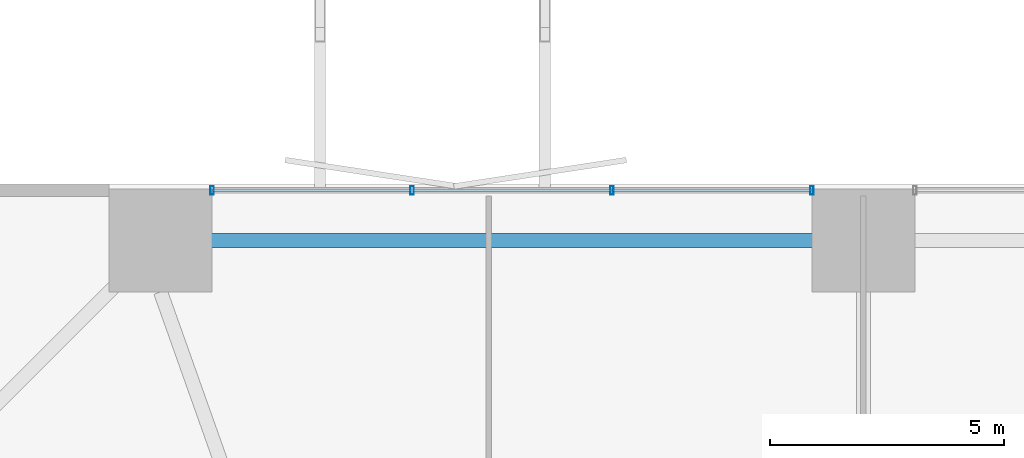
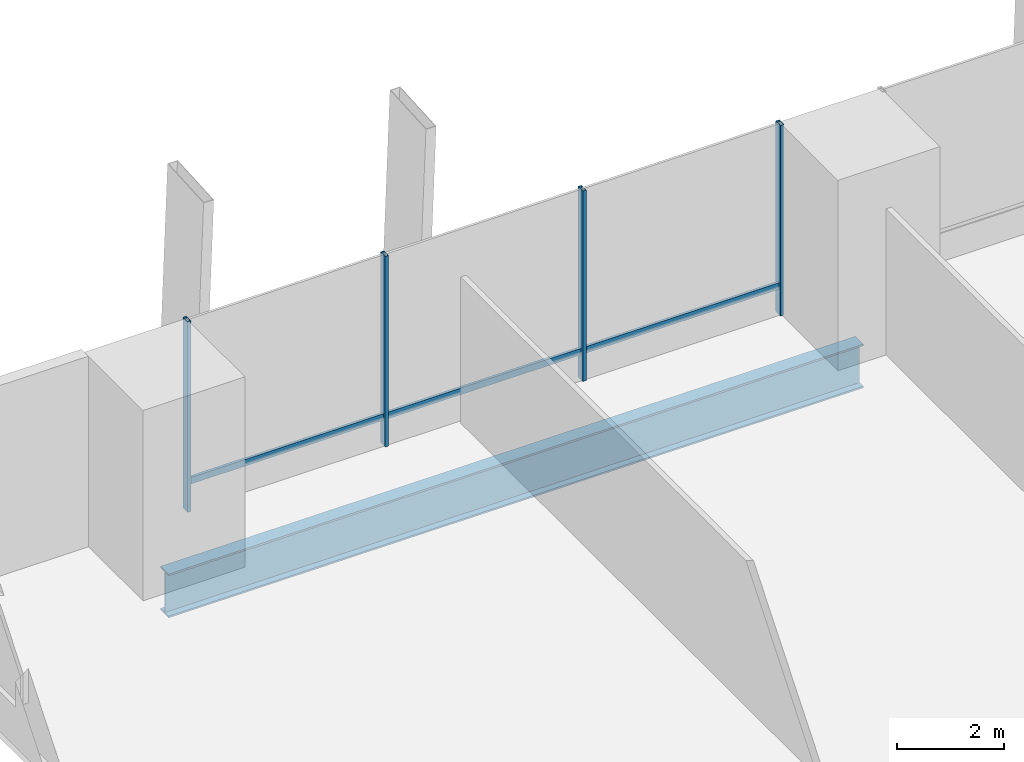
# One storey, part 13 of 24: 7 members, 1 beam, 1 element without a shape of its own.
"""IFC4 building model written with IfcOpenShell, lengths in metres."""

from ifc_helpers import new_model, si_unit, direction, frame, origin, origin_2d, place, context, subcontext, project, spatial, hollow_rectangle, i_section, extrude, material, layer, layer_set, material_profile, profile_set, type_object, element, aggregate, save


model = new_model("IFC4")

# Units and contexts
model_context = context("Model", 3, precision=1e-05, world=origin(), true_north=direction((0.0, 1.0)))
body_context = subcontext(model_context, "Body", "Model", "MODEL_VIEW")
ifc_project = project(units=[si_unit("LENGTHUNIT", "METRE"), si_unit("AREAUNIT", "SQUARE_METRE"), si_unit("VOLUMEUNIT", "CUBIC_METRE"), si_unit("PLANEANGLEUNIT", "RADIAN"), si_unit("MASSUNIT", "GRAM", prefix="KILO")], contexts=[model_context])

# Site, building, storey
site_placement = place(None, origin())
site = spatial("IfcSite", under=ifc_project, at=site_placement, CompositionType="ELEMENT")
building_placement = place(site_placement, origin())
building = spatial("IfcBuilding", under=site, at=building_placement, Name="Belovzor Exchange Tower", CompositionType="ELEMENT")
storey_placement = place(building_placement, frame((0.0, 0.0, 19.199951171875)))
storey = spatial("IfcBuildingStorey", under=building, at=storey_placement, Name="L04", CompositionType="ELEMENT", Elevation=19.199951171875)

# Beam
ifc_material_1 = material(Name="Steel S460", Category="steel")
ifc_material_profile_1 = material_profile(ifc_material_1, i_section(OverallWidth=0.300048828125, OverallDepth=1.0, WebThickness=0.02099609375, FlangeThickness=0.0400390625, at=origin_2d()))
ifc_profile_set_1 = profile_set([ifc_material_profile_1], Name="Steel S460")
beam_type = type_object("IfcBeamType", Name="Podium Exchange Hall Ring Girder HEM 1000", PredefinedType="BEAM", material=ifc_profile_set_1)
beam_placement = place(storey_placement, frame((28.800048828125, 55.800048828125, -0.849853515625), z_axis=(-1.0, 0.0, 0.0), x_axis=(0.0, -1.0, 0.0)))
element("IfcBeam", 1, at=beam_placement, inside=storey, type_object=beam_type, Name="PG-1 Podium Exchange Hall Ring Girder HEM 1000", PredefinedType="BEAM", context=body_context, shape_type="SweptSolid", body=[
    extrude(i_section(OverallWidth=0.300048828125, OverallDepth=1.0, WebThickness=0.02099609375, FlangeThickness=0.0400390625, at=origin_2d()), origin(), (0.0, 0.0, 1.0), 15.0),
])

# Curtain wall, members
ifc_material_2 = material(Name="Anodised Aluminium Framing", Category="aluminium")
ifc_layer = layer(ifc_material_2, 0.2099609375)
ifc_layer_set = layer_set([ifc_layer], Name="Anodised Aluminium Framing")
curtain_wall_type = type_object("IfcCurtainWallType", Name="Double-Height Concourse & Gallery Curtain Wall", PredefinedType="NOTDEFINED", material=ifc_layer_set)
curtain_wall_placement = place(storey_placement, origin())
curtain_wall = element("IfcCurtainWall", 2, at=curtain_wall_placement, inside=storey, type_object=curtain_wall_type, Name="CW2 Double-Height Concourse & Gallery Curtain Wall L04", PredefinedType="NOTDEFINED")
ifc_material_3 = material(Name="Steel S355", Category="steel")
ifc_material_profile_2 = material_profile(ifc_material_3, hollow_rectangle(XDim=0.074951171875, YDim=0.179931640625, WallThickness=0.0048828125, at=origin_2d()))
ifc_profile_set_2 = profile_set([ifc_material_profile_2], Name="Steel S355")
member_type_1 = type_object("IfcMemberType", Name="Thermally Broken Curtain Wall Mullion 180x75", PredefinedType="MULLION", material=ifc_profile_set_2)
member_1_placement = place(storey_placement, frame((14.89990234375, 56.8701171875, 0.0), z_axis=(0.0, 0.0, 1.0), x_axis=(1.0, 0.0, 0.0)))
member_1 = element("IfcMember", 3, at=member_1_placement, type_object=member_type_1, Name="CW-M180 Curtain Wall Mullion 1", PredefinedType="MULLION", context=body_context, shape_type="SweptSolid", body=[
    extrude(hollow_rectangle(XDim=0.074951171875, YDim=0.179931640625, WallThickness=0.0048828125, at=origin_2d()), origin(), (0.0, 0.0, 1.0), 4.35009765625),
])
member_2_placement = place(storey_placement, frame((19.1669921875, 56.8701171875, 0.0), z_axis=(0.0, 0.0, 1.0), x_axis=(1.0, 0.0, 0.0)))
member_2 = element("IfcMember", 4, at=member_2_placement, type_object=member_type_1, Name="CW-M180 Curtain Wall Mullion 2", PredefinedType="MULLION", context=body_context, shape_type="SweptSolid", body=[
    extrude(hollow_rectangle(XDim=0.074951171875, YDim=0.179931640625, WallThickness=0.0048828125, at=origin_2d()), origin(), (0.0, 0.0, 1.0), 4.35009765625),
])
member_3_placement = place(storey_placement, frame((23.43310546875, 56.8701171875, 0.0), z_axis=(0.0, 0.0, 1.0), x_axis=(1.0, 0.0, 0.0)))
member_3 = element("IfcMember", 5, at=member_3_placement, type_object=member_type_1, Name="CW-M180 Curtain Wall Mullion 3", PredefinedType="MULLION", context=body_context, shape_type="SweptSolid", body=[
    extrude(hollow_rectangle(XDim=0.074951171875, YDim=0.179931640625, WallThickness=0.0048828125, at=origin_2d()), origin(), (0.0, 0.0, 1.0), 4.35009765625),
])
member_4_placement = place(storey_placement, frame((27.699951171875, 56.8701171875, 0.0), z_axis=(0.0, 0.0, 1.0), x_axis=(1.0, 0.0, 0.0)))
member_4 = element("IfcMember", 6, at=member_4_placement, type_object=member_type_1, Name="CW-M180 Curtain Wall Mullion 4", PredefinedType="MULLION", context=body_context, shape_type="SweptSolid", body=[
    extrude(hollow_rectangle(XDim=0.074951171875, YDim=0.179931640625, WallThickness=0.0048828125, at=origin_2d()), origin(), (0.0, 0.0, 1.0), 4.35009765625),
])
ifc_material_4 = material(Name="Steel S355", Category="steel")
ifc_material_profile_3 = material_profile(ifc_material_4, hollow_rectangle(XDim=0.06005859375, YDim=0.14990234375, WallThickness=0.00390625, at=origin_2d()))
ifc_profile_set_3 = profile_set([ifc_material_profile_3], Name="Steel S355")
member_type_2 = type_object("IfcMemberType", Name="Thermally Broken Curtain Wall Transom 150x60", PredefinedType="USERDEFINED", material=ifc_profile_set_3)
member_5_placement = place(storey_placement, frame((14.907958984375, 56.8701171875, 0.650146484375), z_axis=(1.0, 0.0, 0.0), x_axis=(0.0, 1.0, 0.0)))
member_5 = element("IfcMember", 7, at=member_5_placement, type_object=member_type_2, Name="CW-T150 Curtain Wall Transom 1", ObjectType="TRANSOM", PredefinedType="USERDEFINED", context=body_context, shape_type="SweptSolid", body=[
    extrude(hollow_rectangle(XDim=0.06005859375, YDim=0.14990234375, WallThickness=0.00390625, at=origin_2d()), origin(), (0.0, 0.0, 1.0), 4.2509765625),
])
member_6_placement = place(storey_placement, frame((19.175048828125, 56.8701171875, 0.650146484375), z_axis=(1.0, 0.0, 0.0), x_axis=(0.0, 1.0, 0.0)))
member_6 = element("IfcMember", 8, at=member_6_placement, type_object=member_type_2, Name="CW-T150 Curtain Wall Transom 2", ObjectType="TRANSOM", PredefinedType="USERDEFINED", context=body_context, shape_type="SweptSolid", body=[
    extrude(hollow_rectangle(XDim=0.06005859375, YDim=0.14990234375, WallThickness=0.00390625, at=origin_2d()), origin(), (0.0, 0.0, 1.0), 4.25),
])
member_7_placement = place(storey_placement, frame((23.44091796875, 56.8701171875, 0.650146484375), z_axis=(1.0, 0.0, 0.0), x_axis=(0.0, 1.0, 0.0)))
member_7 = element("IfcMember", 9, at=member_7_placement, type_object=member_type_2, Name="CW-T150 Curtain Wall Transom 3", ObjectType="TRANSOM", PredefinedType="USERDEFINED", context=body_context, shape_type="SweptSolid", body=[
    extrude(hollow_rectangle(XDim=0.06005859375, YDim=0.14990234375, WallThickness=0.00390625, at=origin_2d()), origin(), (0.0, 0.0, 1.0), 4.2509765625),
])
aggregate(curtain_wall, [member_1, member_2, member_3, member_4, member_5, member_6, member_7])

save(model, "model.ifc")
